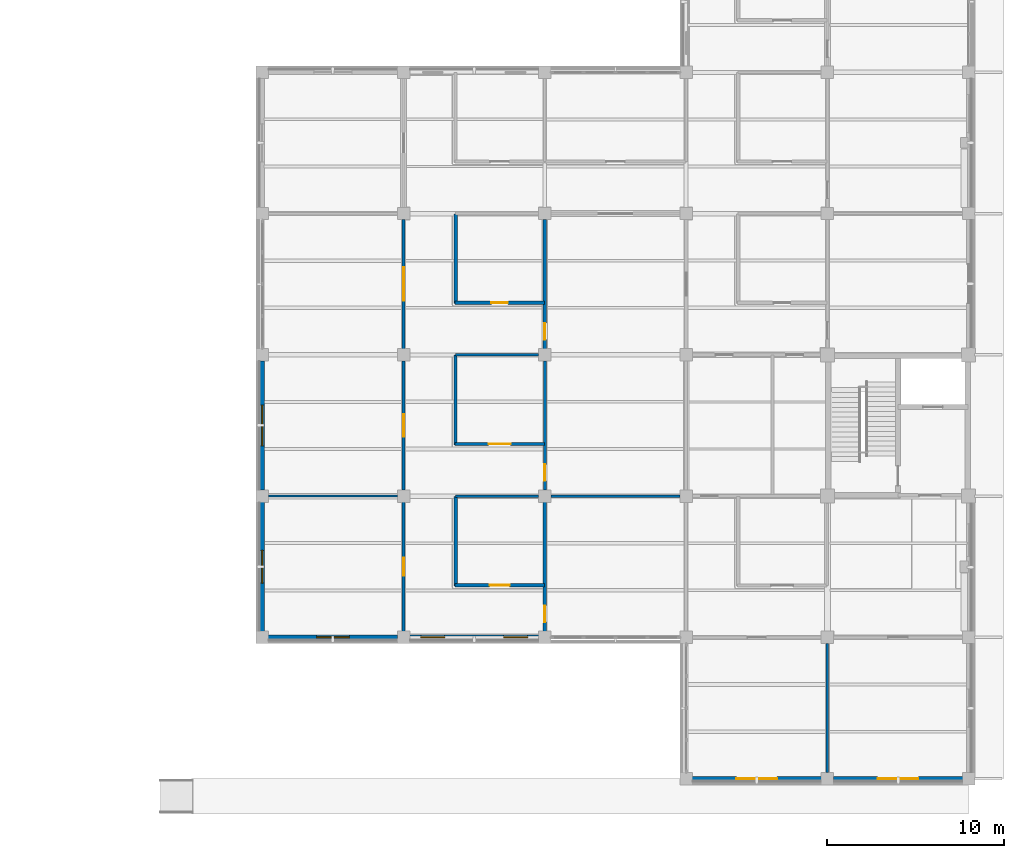
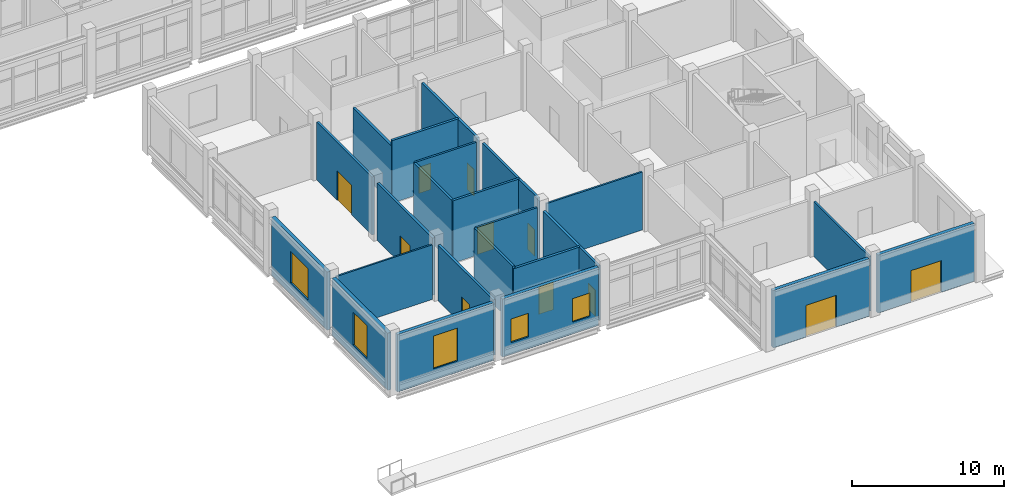
# One storey, part 75 of 105: 23 walls, 11 doors, 5 windows, 16 openings.
"""IFC4 building model written with IfcOpenShell, lengths in metres."""

from ifc_helpers import new_model, si_unit, derived_unit, direction, frame, frame_2d, origin, place, context, subcontext, project, spatial, rectangle, extrude, material, layer, layer_set, type_object, element, fill, save


model = new_model("IFC4")

# Units and contexts
model_context = context("Model", 3, precision=1e-05, world=origin(), true_north=direction((0.0, 1.0)))
body_context = subcontext(model_context, "Body", "Model", "MODEL_VIEW")
ifc_project = project(units=[si_unit("LENGTHUNIT", "METRE"), si_unit("AREAUNIT", "SQUARE_METRE"), si_unit("VOLUMEUNIT", "CUBIC_METRE"), si_unit("PLANEANGLEUNIT", "RADIAN"), si_unit("MASSUNIT", "GRAM", prefix="KILO"), derived_unit("THERMALTRANSMITTANCEUNIT", [(si_unit("MASSUNIT", "GRAM", prefix="KILO"), 1), (si_unit("TIMEUNIT", "SECOND"), -3), (si_unit("THERMODYNAMICTEMPERATUREUNIT", "KELVIN"), -1)])], contexts=[model_context])

# Site, building, storey
site_placement = place(None, origin())
site = spatial("IfcSite", under=ifc_project, at=site_placement, CompositionType="ELEMENT")
building_placement = place(site_placement, origin())
building = spatial("IfcBuilding", under=site, at=building_placement, Name="Veyamyaing Civic Hall", CompositionType="ELEMENT")
storey_placement = place(building_placement, origin())
storey = spatial("IfcBuildingStorey", under=building, at=storey_placement, Name="L00", CompositionType="ELEMENT", Elevation=0.0)

# Wall, opening, door
ifc_material_1 = material(Name="Gypsum board on acoustic steel stud", Category="steel")
ifc_layer_1 = layer(ifc_material_1, 0.175048828125, Name="Gypsum board on acoustic steel stud")
ifc_layer_set_1 = layer_set([ifc_layer_1], Name="Gypsum board on acoustic steel stud")
wall_type_1 = type_object("IfcWallType", Name="WT-07", PredefinedType="PARTITIONING", material=ifc_layer_set_1)
wall_1_placement = place(storey_placement, frame((146.89990234375, 18.949951171875, 0.0), z_axis=(0.0, 0.0, 1.0), x_axis=(1.0, 0.0, 0.0)))
wall_1 = element("IfcWall", 1, at=wall_1_placement, inside=storey, type_object=wall_type_1, Name="Corridor gallery partition WT-07 L00.57.1", PredefinedType="PARTITIONING", context=body_context, shape_type="SweptSolid", body=[
    extrude(rectangle(XDim=5.080078125, YDim=0.175048828125, at=frame_2d((2.5400390625, 0.0))), origin(), (0.0, 0.0, 1.0), 5.02490234375),
])
opening_1_placement = place(wall_1_placement, frame((1.9150390625, 0.0, 0.0)))
opening_1 = element("IfcOpeningElement", 2, at=opening_1_placement, cuts=wall_1, Name="Opening D-29", PredefinedType="OPENING", context=body_context, shape_type="SweptSolid", body=[
    extrude(rectangle(XDim=1.25, YDim=2.179931640625, at=frame_2d((0.625, 1.08984375))), frame((0.0, 0.097412109375, 0.0), z_axis=(0.0, -1.0, 0.0), x_axis=(1.0, 0.0, 0.0)), (0.0, 0.0, 1.0), 0.195068359375),
])
ifc_material_2 = material(Name="Teak-veneered acoustic timber", Category="wood")
door_type_1 = type_object("IfcDoorType", Name="D-29", OperationType="NOTDEFINED", PredefinedType="DOOR", material=ifc_material_2)
door_1_placement = place(opening_1_placement, origin())
door_1 = element("IfcDoor", 3, at=door_1_placement, inside=storey, type_object=door_type_1, Name="Gallery office door D-29 L00.57", OperationType="SINGLE_SWING_RIGHT", OverallHeight=2.179931640625, OverallWidth=1.25, PredefinedType="DOOR", context=body_context, shape_type="SweptSolid", body=[
    extrude(rectangle(XDim=1.25, YDim=2.179931640625, at=frame_2d((0.625, 1.08984375))), frame((0.0, 0.02490234375, 0.0), z_axis=(0.0, -1.0, 0.0), x_axis=(1.0, 0.0, 0.0)), (0.0, 0.0, 1.0), 0.050048828125),
])
fill(opening_1, door_1)

# Wall
wall_2_placement = place(storey_placement, frame((146.949951171875, 18.89990234375, 0.0), z_axis=(0.0, 0.0, 1.0), x_axis=(0.0, 1.0, 0.0)))
element("IfcWall", 4, at=wall_2_placement, inside=storey, type_object=wall_type_1, Name="Corridor gallery partition WT-07 L00.57.2", PredefinedType="PARTITIONING", context=body_context, shape_type="SweptSolid", body=[
    extrude(rectangle(XDim=5.080078125, YDim=0.175048828125, at=frame_2d((2.5400390625, 0.0))), origin(), (0.0, 0.0, 1.0), 5.02490234375),
])

# Wall, opening, door
wall_3_placement = place(storey_placement, frame((144.0, 24.340087890625, 0.0), z_axis=(0.0, 0.0, 1.0), x_axis=(0.0, 1.0, 0.0)))
wall_3 = element("IfcWall", 5, at=wall_3_placement, inside=storey, type_object=wall_type_1, Name="Interior partition wall WT-07 L00.127", PredefinedType="PARTITIONING", context=body_context, shape_type="SweptSolid", body=[
    extrude(rectangle(XDim=7.31982421875, YDim=0.175048828125, at=frame_2d((3.659912109375, 0.0))), origin(), (0.0, 0.0, 1.0), 4.6669921875),
])
opening_2_placement = place(wall_3_placement, frame((2.7099609375, 0.0, 0.0)))
opening_2 = element("IfcOpeningElement", 6, at=opening_2_placement, cuts=wall_3, Name="Opening D-31", PredefinedType="OPENING", context=body_context, shape_type="SweptSolid", body=[
    extrude(rectangle(XDim=1.89990234375, YDim=2.3798828125, at=frame_2d((0.949951171875, 1.18994140625))), frame((0.0, 0.097412109375, 0.0), z_axis=(0.0, -1.0, 0.0), x_axis=(1.0, 0.0, 0.0)), (0.0, 0.0, 1.0), 0.195068359375),
])
door_type_2 = type_object("IfcDoorType", Name="D-31", OperationType="DOUBLE_DOOR_SINGLE_SWING", PredefinedType="DOOR", material=ifc_material_2)
door_2_placement = place(opening_2_placement, origin())
door_2 = element("IfcDoor", 7, at=door_2_placement, inside=storey, type_object=door_type_2, Name="Interior door D-31 L00.127", OperationType="DOUBLE_DOOR_SINGLE_SWING", OverallHeight=2.3798828125, OverallWidth=1.89990234375, PredefinedType="DOOR", context=body_context, shape_type="SweptSolid", body=[
    extrude(rectangle(XDim=1.89990234375, YDim=2.3798828125, at=frame_2d((0.949951171875, 1.18994140625))), frame((0.0, 0.02490234375, 0.0), z_axis=(0.0, -1.0, 0.0), x_axis=(1.0, 0.0, 0.0)), (0.0, 0.0, 1.0), 0.050048828125),
])
fill(opening_2, door_2)

wall_4_placement = place(storey_placement, frame((152.0, 16.340087890625, 0.0), z_axis=(0.0, 0.0, 1.0), x_axis=(0.0, 1.0, 0.0)))
wall_4 = element("IfcWall", 8, at=wall_4_placement, inside=storey, type_object=wall_type_1, Name="Interior partition wall WT-07 L00.131", PredefinedType="PARTITIONING", context=body_context, shape_type="SweptSolid", body=[
    extrude(rectangle(XDim=7.31982421875, YDim=0.175048828125, at=frame_2d((3.659912109375, 0.0))), origin(), (0.0, 0.0, 1.0), 5.02490234375),
])
opening_3_placement = place(wall_4_placement, frame((0.52001953125, 0.0, 0.0)))
opening_3 = element("IfcOpeningElement", 9, at=opening_3_placement, cuts=wall_4, Name="Opening D-30", PredefinedType="OPENING", context=body_context, shape_type="SweptSolid", body=[
    extrude(rectangle(XDim=0.93994140625, YDim=2.1201171875, at=frame_2d((0.469970703125, 1.06005859375))), frame((0.0, 0.097412109375, 0.0), z_axis=(0.0, -1.0, 0.0), x_axis=(1.0, 0.0, 0.0)), (0.0, 0.0, 1.0), 0.195068359375),
])
door_type_3 = type_object("IfcDoorType", Name="D-30", OperationType="NOTDEFINED", PredefinedType="DOOR", material=ifc_material_2)
door_3_placement = place(opening_3_placement, frame((0.93994140625, 0.0, 0.0), z_axis=(0.0, 0.0, 1.0), x_axis=(-1.0, 0.0, 0.0)))
door_3 = element("IfcDoor", 10, at=door_3_placement, inside=storey, type_object=door_type_3, Name="Interior door D-30 L00.131", OperationType="SINGLE_SWING_LEFT", OverallHeight=2.1201171875, OverallWidth=0.93994140625, PredefinedType="DOOR", context=body_context, shape_type="SweptSolid", body=[
    extrude(rectangle(XDim=0.93994140625, YDim=2.1201171875, at=frame_2d((0.469970703125, 1.06005859375))), frame((0.0, 0.02490234375, 0.0), z_axis=(0.0, -1.0, 0.0), x_axis=(1.0, 0.0, 0.0)), (0.0, 0.0, 1.0), 0.050048828125),
])
fill(opening_3, door_3)

# Walls
ifc_material_3 = material(Name="Gypsum board on steel stud", Category="steel")
ifc_layer_2 = layer(ifc_material_3, 0.14990234375, Name="Gypsum board on steel stud")
ifc_layer_set_2 = layer_set([ifc_layer_2], Name="Gypsum board on steel stud")
wall_type_2 = type_object("IfcWallType", Name="WT-08", PredefinedType="PARTITIONING", material=ifc_layer_set_2)
wall_5_placement = place(storey_placement, frame((146.949951171875, 16.0, 0.0), z_axis=(0.0, 0.0, 1.0), x_axis=(1.0, 0.0, 0.0)))
element("IfcWall", 11, at=wall_5_placement, inside=storey, type_object=wall_type_2, Name="Gallery office end partition WT-08 L00.56.1", PredefinedType="PARTITIONING", context=body_context, shape_type="SweptSolid", body=[
    extrude(rectangle(XDim=4.68994140625, YDim=0.14990234375, at=frame_2d((2.344970703125, 0.0))), origin(), (0.0, 0.0, 1.0), 4.60302734375),
])
wall_6_placement = place(storey_placement, frame((146.949951171875, 24.0, 0.0), z_axis=(0.0, 0.0, 1.0), x_axis=(1.0, 0.0, 0.0)))
element("IfcWall", 12, at=wall_6_placement, inside=storey, type_object=wall_type_2, Name="Gallery office end partition WT-08 L00.57.1", PredefinedType="PARTITIONING", context=body_context, shape_type="SweptSolid", body=[
    extrude(rectangle(XDim=4.68994140625, YDim=0.14990234375, at=frame_2d((2.344970703125, 0.0))), origin(), (0.0, 0.0, 1.0), 5.02490234375),
])
wall_7_placement = place(storey_placement, frame((168.0, 0.340087890625, 0.0), z_axis=(0.0, 0.0, 1.0), x_axis=(0.0, 1.0, 0.0)))
element("IfcWall", 13, at=wall_7_placement, inside=storey, type_object=wall_type_2, Name="Interior partition wall WT-08 L00.143", PredefinedType="PARTITIONING", context=body_context, shape_type="SweptSolid", body=[
    extrude(rectangle(XDim=7.31982421875, YDim=0.14990234375, at=frame_2d((3.659912109375, 0.0))), origin(), (0.0, 0.0, 1.0), 4.412109375),
])
ifc_layer_3 = layer(ifc_material_3, 0.135009765625, Name="Gypsum board on steel stud")
ifc_layer_set_3 = layer_set([ifc_layer_3], Name="Gypsum board on steel stud")
wall_type_3 = type_object("IfcWallType", Name="WT-15", PredefinedType="PARTITIONING", material=ifc_layer_set_3)
wall_8_placement = place(storey_placement, frame((152.340087890625, 16.0, 0.0), z_axis=(0.0, 0.0, 1.0), x_axis=(1.0, 0.0, 0.0)))
element("IfcWall", 14, at=wall_8_placement, inside=storey, type_object=wall_type_3, Name="Interior partition wall WT-15 L00.136", PredefinedType="PARTITIONING", context=body_context, shape_type="SweptSolid", body=[
    extrude(rectangle(XDim=7.31982421875, YDim=0.135009765625, at=frame_2d((3.659912109375, 0.0))), origin(), (0.0, 0.0, 1.0), 4.6669921875),
])
ifc_layer_4 = layer(ifc_material_3, 0.1201171875, Name="Gypsum board on steel stud")
ifc_layer_set_4 = layer_set([ifc_layer_4], Name="Gypsum board on steel stud")
wall_type_4 = type_object("IfcWallType", Name="WT-16", PredefinedType="PARTITIONING", material=ifc_layer_set_4)
wall_9_placement = place(storey_placement, frame((136.340087890625, 16.0, 0.0), z_axis=(0.0, 0.0, 1.0), x_axis=(1.0, 0.0, 0.0)))
element("IfcWall", 15, at=wall_9_placement, inside=storey, type_object=wall_type_4, Name="Interior partition wall WT-16 L00.125", PredefinedType="PARTITIONING", context=body_context, shape_type="SweptSolid", body=[
    extrude(rectangle(XDim=7.31982421875, YDim=0.1201171875, at=frame_2d((3.659912109375, 0.0))), origin(), (0.0, 0.0, 1.0), 4.404052734375),
])

# Wall, opening, window
ifc_material_4 = material(Name="Precast concrete C40/50", Category="concrete")
ifc_layer_5 = layer(ifc_material_4, 0.27001953125, Name="Precast concrete C40/50")
ifc_layer_set_5 = layer_set([ifc_layer_5], Name="Precast concrete C40/50")
wall_type_5 = type_object("IfcWallType", Name="WT-18", PredefinedType="SOLIDWALL", material=ifc_layer_set_5)
wall_10_placement = place(storey_placement, frame((136.3349609375, 8.0, 0.0), z_axis=(0.0, 0.0, 1.0), x_axis=(1.0, 0.0, 0.0)))
wall_10 = element("IfcWall", 16, at=wall_10_placement, inside=storey, type_object=wall_type_5, Name="Exterior facade wall WT-18 L00 S 18.2", PredefinedType="SOLIDWALL", context=body_context, shape_type="SweptSolid", body=[
    extrude(rectangle(XDim=7.330078125, YDim=0.27001953125, at=frame_2d((3.6650390625, 0.0))), origin(), (0.0, 0.0, 1.0), 4.614013671875),
])
opening_4_placement = place(wall_10_placement, frame((2.739990234375, 0.0, 0.89990234375)))
opening_4 = element("IfcOpeningElement", 17, at=opening_4_placement, cuts=wall_10, Name="Opening W-03", PredefinedType="OPENING", context=body_context, shape_type="SweptSolid", body=[
    extrude(rectangle(XDim=1.85009765625, YDim=2.64990234375, at=frame_2d((0.925048828125, 1.324951171875))), frame((0.0, 0.14501953125, 0.0), z_axis=(0.0, -1.0, 0.0), x_axis=(1.0, 0.0, 0.0)), (0.0, 0.0, 1.0), 0.2900390625),
])
ifc_material_5 = material(Name="Low-E insulated glass", Category="glass")
window_type_1 = type_object("IfcWindowType", Name="W-03", PartitioningType="SINGLE_PANEL", PredefinedType="WINDOW", material=ifc_material_5)
window_1_placement = place(opening_4_placement, origin())
window_1 = element("IfcWindow", 18, at=window_1_placement, inside=storey, type_object=window_type_1, Name="Facade window W-03 L00 S 18.2", OverallHeight=2.64990234375, OverallWidth=1.85009765625, PartitioningType="SINGLE_PANEL", PredefinedType="WINDOW", context=body_context, shape_type="SweptSolid", body=[
    extrude(rectangle(XDim=1.85009765625, YDim=2.64990234375, at=frame_2d((0.925048828125, 1.324951171875))), frame((0.0, 0.030029296875, 0.0), z_axis=(0.0, -1.0, 0.0), x_axis=(1.0, 0.0, 0.0)), (0.0, 0.0, 1.0), 0.06005859375),
])
fill(opening_4, window_1)

wall_11_placement = place(storey_placement, frame((136.0, 8.3349609375, 0.0), z_axis=(0.0, 0.0, 1.0), x_axis=(0.0, 1.0, 0.0)))
wall_11 = element("IfcWall", 19, at=wall_11_placement, inside=storey, type_object=wall_type_5, Name="Exterior facade wall WT-18 L00 W 18.2", PredefinedType="SOLIDWALL", context=body_context, shape_type="SweptSolid", body=[
    extrude(rectangle(XDim=7.330078125, YDim=0.27001953125, at=frame_2d((3.6650390625, 0.0))), origin(), (0.0, 0.0, 1.0), 4.614013671875),
])
opening_5_placement = place(wall_11_placement, frame((2.739990234375, 0.0, 0.89990234375)))
opening_5 = element("IfcOpeningElement", 20, at=opening_5_placement, cuts=wall_11, Name="Opening W-03", PredefinedType="OPENING", context=body_context, shape_type="SweptSolid", body=[
    extrude(rectangle(XDim=1.85009765625, YDim=2.64990234375, at=frame_2d((0.925048828125, 1.324951171875))), frame((0.0, 0.14501953125, 0.0), z_axis=(0.0, -1.0, 0.0), x_axis=(1.0, 0.0, 0.0)), (0.0, 0.0, 1.0), 0.2900390625),
])
window_2_placement = place(opening_5_placement, origin())
window_2 = element("IfcWindow", 21, at=window_2_placement, inside=storey, type_object=window_type_1, Name="Facade window W-03 L00 W 18.2", OverallHeight=2.64990234375, OverallWidth=1.85009765625, PartitioningType="SINGLE_PANEL", PredefinedType="WINDOW", context=body_context, shape_type="SweptSolid", body=[
    extrude(rectangle(XDim=1.85009765625, YDim=2.64990234375, at=frame_2d((0.925048828125, 1.324951171875))), frame((0.0, 0.030029296875, 0.0), z_axis=(0.0, -1.0, 0.0), x_axis=(1.0, 0.0, 0.0)), (0.0, 0.0, 1.0), 0.06005859375),
])
fill(opening_5, window_2)

wall_12_placement = place(storey_placement, frame((136.0, 16.3349609375, 0.0), z_axis=(0.0, 0.0, 1.0), x_axis=(0.0, 1.0, 0.0)))
wall_12 = element("IfcWall", 22, at=wall_12_placement, inside=storey, type_object=wall_type_5, Name="Exterior facade wall WT-18 L00 W 18.3", PredefinedType="SOLIDWALL", context=body_context, shape_type="SweptSolid", body=[
    extrude(rectangle(XDim=7.330078125, YDim=0.27001953125, at=frame_2d((3.6650390625, 0.0))), origin(), (0.0, 0.0, 1.0), 4.677001953125),
])
opening_6_placement = place(wall_12_placement, frame((2.514892578125, 0.0, 0.89990234375)))
opening_6 = element("IfcOpeningElement", 23, at=opening_6_placement, cuts=wall_12, Name="Opening W-25", PredefinedType="OPENING", context=body_context, shape_type="SweptSolid", body=[
    extrude(rectangle(XDim=2.300048828125, YDim=2.550048828125, at=frame_2d((1.14990234375, 1.27490234375))), frame((0.0, 0.14501953125, 0.0), z_axis=(0.0, -1.0, 0.0), x_axis=(1.0, 0.0, 0.0)), (0.0, 0.0, 1.0), 0.2900390625),
])
window_type_2 = type_object("IfcWindowType", Name="W-25", PartitioningType="SINGLE_PANEL", PredefinedType="WINDOW", material=ifc_material_5)
window_3_placement = place(opening_6_placement, origin())
window_3 = element("IfcWindow", 24, at=window_3_placement, inside=storey, type_object=window_type_2, Name="Facade window W-25 L00 W 18.3", OverallHeight=2.550048828125, OverallWidth=2.300048828125, PartitioningType="SINGLE_PANEL", PredefinedType="WINDOW", context=body_context, shape_type="SweptSolid", body=[
    extrude(rectangle(XDim=2.300048828125, YDim=2.550048828125, at=frame_2d((1.14990234375, 1.27490234375))), frame((0.0, 0.030029296875, 0.0), z_axis=(0.0, -1.0, 0.0), x_axis=(1.0, 0.0, 0.0)), (0.0, 0.0, 1.0), 0.06005859375),
])
fill(opening_6, window_3)

# Wall, openings, windows
wall_13_placement = place(storey_placement, frame((144.3349609375, 8.0, 0.0), z_axis=(0.0, 0.0, 1.0), x_axis=(1.0, 0.0, 0.0)))
wall_13 = element("IfcWall", 25, at=wall_13_placement, inside=storey, type_object=wall_type_5, Name="Exterior facade wall WT-18 L00 S 19.2", PredefinedType="SOLIDWALL", context=body_context, shape_type="SweptSolid", body=[
    extrude(rectangle(XDim=7.330078125, YDim=0.27001953125, at=frame_2d((3.6650390625, 0.0))), origin(), (0.0, 0.0, 1.0), 4.677001953125),
])
opening_7_placement = place(wall_13_placement, frame((0.644287109375, 0.0, 0.949951171875)))
opening_7 = element("IfcOpeningElement", 26, at=opening_7_placement, cuts=wall_13, Name="Opening W-13", PredefinedType="OPENING", context=body_context, shape_type="SweptSolid", body=[
    extrude(rectangle(XDim=1.35009765625, YDim=1.89990234375, at=frame_2d((0.675048828125, 0.949951171875))), frame((0.0, 0.14501953125, 0.0), z_axis=(0.0, -1.0, 0.0), x_axis=(1.0, 0.0, 0.0)), (0.0, 0.0, 1.0), 0.2900390625),
])
opening_8_placement = place(wall_13_placement, frame((5.335693359375, 0.0, 0.949951171875)))
opening_8 = element("IfcOpeningElement", 27, at=opening_8_placement, cuts=wall_13, Name="Opening W-13", PredefinedType="OPENING", context=body_context, shape_type="SweptSolid", body=[
    extrude(rectangle(XDim=1.35009765625, YDim=1.89990234375, at=frame_2d((0.675048828125, 0.949951171875))), frame((0.0, 0.14501953125, 0.0), z_axis=(0.0, -1.0, 0.0), x_axis=(1.0, 0.0, 0.0)), (0.0, 0.0, 1.0), 0.2900390625),
])
window_type_3 = type_object("IfcWindowType", Name="W-13", PartitioningType="SINGLE_PANEL", PredefinedType="WINDOW", material=ifc_material_5)
window_4_placement = place(opening_7_placement, origin())
window_4 = element("IfcWindow", 28, at=window_4_placement, inside=storey, type_object=window_type_3, Name="Facade window W-13 L00 S 19.2.1", OverallHeight=1.89990234375, OverallWidth=1.35009765625, PartitioningType="SINGLE_PANEL", PredefinedType="WINDOW", context=body_context, shape_type="SweptSolid", body=[
    extrude(rectangle(XDim=1.35009765625, YDim=1.89990234375, at=frame_2d((0.675048828125, 0.949951171875))), frame((0.0, 0.030029296875, 0.0), z_axis=(0.0, -1.0, 0.0), x_axis=(1.0, 0.0, 0.0)), (0.0, 0.0, 1.0), 0.06005859375),
])
fill(opening_7, window_4)
window_5_placement = place(opening_8_placement, origin())
window_5 = element("IfcWindow", 29, at=window_5_placement, inside=storey, type_object=window_type_3, Name="Facade window W-13 L00 S 19.2.2", OverallHeight=1.89990234375, OverallWidth=1.35009765625, PartitioningType="SINGLE_PANEL", PredefinedType="WINDOW", context=body_context, shape_type="SweptSolid", body=[
    extrude(rectangle(XDim=1.35009765625, YDim=1.89990234375, at=frame_2d((0.675048828125, 0.949951171875))), frame((0.0, 0.030029296875, 0.0), z_axis=(0.0, -1.0, 0.0), x_axis=(1.0, 0.0, 0.0)), (0.0, 0.0, 1.0), 0.06005859375),
])
fill(opening_8, window_5)

# Wall, opening, door
wall_14_placement = place(storey_placement, frame((160.3349609375, 0.0, 0.0), z_axis=(0.0, 0.0, 1.0), x_axis=(1.0, 0.0, 0.0)))
wall_14 = element("IfcWall", 30, at=wall_14_placement, inside=storey, type_object=wall_type_5, Name="Exterior facade wall WT-18 L00 S 21.1", PredefinedType="SOLIDWALL", context=body_context, shape_type="SweptSolid", body=[
    extrude(rectangle(XDim=7.330078125, YDim=0.27001953125, at=frame_2d((3.6650390625, 0.0))), origin(), (0.0, 0.0, 1.0), 4.610107421875),
])
opening_9_placement = place(wall_14_placement, frame((2.514892578125, 0.0, 0.0)))
opening_9 = element("IfcOpeningElement", 31, at=opening_9_placement, cuts=wall_14, Name="Opening D-21", PredefinedType="OPENING", context=body_context, shape_type="SweptSolid", body=[
    extrude(rectangle(XDim=2.300048828125, YDim=2.550048828125, at=frame_2d((1.14990234375, 1.27490234375))), frame((0.0, 0.14501953125, 0.0), z_axis=(0.0, -1.0, 0.0), x_axis=(1.0, 0.0, 0.0)), (0.0, 0.0, 1.0), 0.2900390625),
])
ifc_material_6 = material(Name="Anodised aluminium 6063-T6", Category="aluminium")
door_type_4 = type_object("IfcDoorType", Name="D-21", OperationType="DOUBLE_DOOR_SINGLE_SWING", PredefinedType="DOOR", material=ifc_material_6)
door_4_placement = place(opening_9_placement, frame((2.300048828125, 0.0, 0.0), z_axis=(0.0, 0.0, 1.0), x_axis=(-1.0, 0.0, 0.0)))
door_4 = element("IfcDoor", 32, at=door_4_placement, inside=storey, type_object=door_type_4, Name="Main pedestrian final exit EX-13", OperationType="DOUBLE_DOOR_SINGLE_SWING", OverallHeight=2.550048828125, OverallWidth=2.300048828125, PredefinedType="DOOR", context=body_context, shape_type="SweptSolid", body=[
    extrude(rectangle(XDim=2.300048828125, YDim=2.550048828125, at=frame_2d((1.14990234375, 1.27490234375))), frame((0.0, 0.02490234375, 0.0), z_axis=(0.0, -1.0, 0.0), x_axis=(1.0, 0.0, 0.0)), (0.0, 0.0, 1.0), 0.050048828125),
])
fill(opening_9, door_4)

wall_15_placement = place(storey_placement, frame((168.3349609375, 0.0, 0.0), z_axis=(0.0, 0.0, 1.0), x_axis=(1.0, 0.0, 0.0)))
wall_15 = element("IfcWall", 33, at=wall_15_placement, inside=storey, type_object=wall_type_5, Name="Exterior facade wall WT-18 L00 S 22.1", PredefinedType="SOLIDWALL", context=body_context, shape_type="SweptSolid", body=[
    extrude(rectangle(XDim=7.330078125, YDim=0.27001953125, at=frame_2d((3.6650390625, 0.0))), origin(), (0.0, 0.0, 1.0), 4.674072265625),
])
opening_10_placement = place(wall_15_placement, frame((2.514892578125, 0.0, 0.0)))
opening_10 = element("IfcOpeningElement", 34, at=opening_10_placement, cuts=wall_15, Name="Opening D-21", PredefinedType="OPENING", context=body_context, shape_type="SweptSolid", body=[
    extrude(rectangle(XDim=2.300048828125, YDim=2.550048828125, at=frame_2d((1.14990234375, 1.27490234375))), frame((0.0, 0.14501953125, 0.0), z_axis=(0.0, -1.0, 0.0), x_axis=(1.0, 0.0, 0.0)), (0.0, 0.0, 1.0), 0.2900390625),
])
door_5_placement = place(opening_10_placement, frame((2.300048828125, 0.0, 0.0), z_axis=(0.0, 0.0, 1.0), x_axis=(-1.0, 0.0, 0.0)))
door_5 = element("IfcDoor", 35, at=door_5_placement, inside=storey, type_object=door_type_4, Name="Main pedestrian final exit EX-15", OperationType="DOUBLE_DOOR_SINGLE_SWING", OverallHeight=2.550048828125, OverallWidth=2.300048828125, PredefinedType="DOOR", context=body_context, shape_type="SweptSolid", body=[
    extrude(rectangle(XDim=2.300048828125, YDim=2.550048828125, at=frame_2d((1.14990234375, 1.27490234375))), frame((0.0, 0.02490234375, 0.0), z_axis=(0.0, -1.0, 0.0), x_axis=(1.0, 0.0, 0.0)), (0.0, 0.0, 1.0), 0.050048828125),
])
fill(opening_10, door_5)

ifc_material_7 = material(Name="Gypsum board on double acoustic stud")
ifc_layer_6 = layer(ifc_material_7, 0.18505859375, Name="Gypsum board on double acoustic stud")
ifc_layer_set_6 = layer_set([ifc_layer_6], Name="Gypsum board on double acoustic stud")
wall_type_6 = type_object("IfcWallType", Name="WT-19", PredefinedType="PARTITIONING", material=ifc_layer_set_6)
wall_16_placement = place(storey_placement, frame((146.89990234375, 10.949951171875, 0.0), z_axis=(0.0, 0.0, 1.0), x_axis=(1.0, 0.0, 0.0)))
wall_16 = element("IfcWall", 36, at=wall_16_placement, inside=storey, type_object=wall_type_6, Name="Corridor gallery partition WT-19 L00.56.1", PredefinedType="PARTITIONING", context=body_context, shape_type="SweptSolid", body=[
    extrude(rectangle(XDim=5.080078125, YDim=0.18505859375, at=frame_2d((2.5400390625, 0.0))), origin(), (0.0, 0.0, 1.0), 4.403076171875),
])
opening_11_placement = place(wall_16_placement, frame((1.97998046875, 0.0, 0.0)))
opening_11 = element("IfcOpeningElement", 37, at=opening_11_placement, cuts=wall_16, Name="Opening D-26", PredefinedType="OPENING", context=body_context, shape_type="SweptSolid", body=[
    extrude(rectangle(XDim=1.1201171875, YDim=2.219970703125, at=frame_2d((0.56005859375, 1.10986328125))), frame((0.0, 0.1025390625, 0.0), z_axis=(0.0, -1.0, 0.0), x_axis=(1.0, 0.0, 0.0)), (0.0, 0.0, 1.0), 0.205078125),
])
door_type_5 = type_object("IfcDoorType", Name="D-26", OperationType="NOTDEFINED", PredefinedType="DOOR", material=ifc_material_2)
door_6_placement = place(opening_11_placement, origin())
door_6 = element("IfcDoor", 38, at=door_6_placement, inside=storey, type_object=door_type_5, Name="Gallery office door D-26 L00.56", OperationType="SINGLE_SWING_LEFT", OverallHeight=2.219970703125, OverallWidth=1.1201171875, PredefinedType="DOOR", context=body_context, shape_type="SweptSolid", body=[
    extrude(rectangle(XDim=1.1201171875, YDim=2.219970703125, at=frame_2d((0.56005859375, 1.10986328125))), frame((0.0, 0.02490234375, 0.0), z_axis=(0.0, -1.0, 0.0), x_axis=(1.0, 0.0, 0.0)), (0.0, 0.0, 1.0), 0.050048828125),
])
fill(opening_11, door_6)

# Wall
wall_17_placement = place(storey_placement, frame((146.949951171875, 10.89990234375, 0.0), z_axis=(0.0, 0.0, 1.0), x_axis=(0.0, 1.0, 0.0)))
element("IfcWall", 39, at=wall_17_placement, inside=storey, type_object=wall_type_6, Name="Corridor gallery partition WT-19 L00.56.2", PredefinedType="PARTITIONING", context=body_context, shape_type="SweptSolid", body=[
    extrude(rectangle(XDim=5.080078125, YDim=0.18505859375, at=frame_2d((2.5400390625, 0.0))), origin(), (0.0, 0.0, 1.0), 4.60302734375),
])

# Wall, opening, door
wall_18_placement = place(storey_placement, frame((146.89990234375, 26.949951171875, 0.0), z_axis=(0.0, 0.0, 1.0), x_axis=(1.0, 0.0, 0.0)))
wall_18 = element("IfcWall", 40, at=wall_18_placement, inside=storey, type_object=wall_type_6, Name="Corridor gallery partition WT-19 L00.58.1", PredefinedType="PARTITIONING", context=body_context, shape_type="SweptSolid", body=[
    extrude(rectangle(XDim=5.080078125, YDim=0.18505859375, at=frame_2d((2.5400390625, 0.0))), origin(), (0.0, 0.0, 1.0), 5.02490234375),
])
opening_12_placement = place(wall_18_placement, frame((2.070068359375, 0.0, 0.0)))
opening_12 = element("IfcOpeningElement", 41, at=opening_12_placement, cuts=wall_18, Name="Opening D-30", PredefinedType="OPENING", context=body_context, shape_type="SweptSolid", body=[
    extrude(rectangle(XDim=0.93994140625, YDim=2.1201171875, at=frame_2d((0.469970703125, 1.06005859375))), frame((0.0, 0.1025390625, 0.0), z_axis=(0.0, -1.0, 0.0), x_axis=(1.0, 0.0, 0.0)), (0.0, 0.0, 1.0), 0.205078125),
])
door_7_placement = place(opening_12_placement, origin())
door_7 = element("IfcDoor", 42, at=door_7_placement, inside=storey, type_object=door_type_3, Name="Gallery office door D-30 L00.58", OperationType="SINGLE_SWING_LEFT", OverallHeight=2.1201171875, OverallWidth=0.93994140625, PredefinedType="DOOR", context=body_context, shape_type="SweptSolid", body=[
    extrude(rectangle(XDim=0.93994140625, YDim=2.1201171875, at=frame_2d((0.469970703125, 1.06005859375))), frame((0.0, 0.02490234375, 0.0), z_axis=(0.0, -1.0, 0.0), x_axis=(1.0, 0.0, 0.0)), (0.0, 0.0, 1.0), 0.050048828125),
])
fill(opening_12, door_7)

# Wall
wall_19_placement = place(storey_placement, frame((146.949951171875, 26.89990234375, 0.0), z_axis=(0.0, 0.0, 1.0), x_axis=(0.0, 1.0, 0.0)))
element("IfcWall", 43, at=wall_19_placement, inside=storey, type_object=wall_type_6, Name="Corridor gallery partition WT-19 L00.58.2", PredefinedType="PARTITIONING", context=body_context, shape_type="SweptSolid", body=[
    extrude(rectangle(XDim=5.080078125, YDim=0.18505859375, at=frame_2d((2.5400390625, 0.0))), origin(), (0.0, 0.0, 1.0), 4.60693359375),
])

# Wall, opening, door
wall_20_placement = place(storey_placement, frame((144.0, 8.340087890625, 0.0), z_axis=(0.0, 0.0, 1.0), x_axis=(0.0, 1.0, 0.0)))
wall_20 = element("IfcWall", 44, at=wall_20_placement, inside=storey, type_object=wall_type_6, Name="Interior partition wall WT-19 L00.124", PredefinedType="PARTITIONING", context=body_context, shape_type="SweptSolid", body=[
    extrude(rectangle(XDim=7.31982421875, YDim=0.18505859375, at=frame_2d((3.659912109375, 0.0))), origin(), (0.0, 0.0, 1.0), 4.470947265625),
])
opening_13_placement = place(wall_20_placement, frame((3.139892578125, 0.0, 0.0)))
opening_13 = element("IfcOpeningElement", 45, at=opening_13_placement, cuts=wall_20, Name="Opening D-24", PredefinedType="OPENING", context=body_context, shape_type="SweptSolid", body=[
    extrude(rectangle(XDim=1.0400390625, YDim=2.179931640625, at=frame_2d((0.52001953125, 1.08984375))), frame((0.0, 0.1025390625, 0.0), z_axis=(0.0, -1.0, 0.0), x_axis=(1.0, 0.0, 0.0)), (0.0, 0.0, 1.0), 0.205078125),
])
door_type_6 = type_object("IfcDoorType", Name="D-24", OperationType="NOTDEFINED", PredefinedType="DOOR", material=ifc_material_2)
door_8_placement = place(opening_13_placement, origin())
door_8 = element("IfcDoor", 46, at=door_8_placement, inside=storey, type_object=door_type_6, Name="Interior door D-24 L00.124", OperationType="SINGLE_SWING_RIGHT", OverallHeight=2.179931640625, OverallWidth=1.0400390625, PredefinedType="DOOR", context=body_context, shape_type="SweptSolid", body=[
    extrude(rectangle(XDim=1.0400390625, YDim=2.179931640625, at=frame_2d((0.52001953125, 1.08984375))), frame((0.0, 0.02490234375, 0.0), z_axis=(0.0, -1.0, 0.0), x_axis=(1.0, 0.0, 0.0)), (0.0, 0.0, 1.0), 0.050048828125),
])
fill(opening_13, door_8)

wall_21_placement = place(storey_placement, frame((144.0, 16.340087890625, 0.0), z_axis=(0.0, 0.0, 1.0), x_axis=(0.0, 1.0, 0.0)))
wall_21 = element("IfcWall", 47, at=wall_21_placement, inside=storey, type_object=wall_type_6, Name="Interior partition wall WT-19 L00.126", PredefinedType="PARTITIONING", context=body_context, shape_type="SweptSolid", body=[
    extrude(rectangle(XDim=7.31982421875, YDim=0.18505859375, at=frame_2d((3.659912109375, 0.0))), origin(), (0.0, 0.0, 1.0), 4.60302734375),
])
opening_14_placement = place(wall_21_placement, frame((3.010009765625, 0.0, 0.0)))
opening_14 = element("IfcOpeningElement", 48, at=opening_14_placement, cuts=wall_21, Name="Opening D-18", PredefinedType="OPENING", context=body_context, shape_type="SweptSolid", body=[
    extrude(rectangle(XDim=1.300048828125, YDim=2.199951171875, at=frame_2d((0.64990234375, 1.10009765625))), frame((0.0, 0.1025390625, 0.0), z_axis=(0.0, -1.0, 0.0), x_axis=(1.0, 0.0, 0.0)), (0.0, 0.0, 1.0), 0.205078125),
])
door_type_7 = type_object("IfcDoorType", Name="D-18", OperationType="DOUBLE_DOOR_SINGLE_SWING", PredefinedType="DOOR", material=ifc_material_6)
door_9_placement = place(opening_14_placement, origin())
door_9 = element("IfcDoor", 49, at=door_9_placement, inside=storey, type_object=door_type_7, Name="Interior door D-18 L00.126", OperationType="DOUBLE_DOOR_SINGLE_SWING", OverallHeight=2.199951171875, OverallWidth=1.300048828125, PredefinedType="DOOR", context=body_context, shape_type="SweptSolid", body=[
    extrude(rectangle(XDim=1.300048828125, YDim=2.199951171875, at=frame_2d((0.64990234375, 1.10009765625))), frame((0.0, 0.02490234375, 0.0), z_axis=(0.0, -1.0, 0.0), x_axis=(1.0, 0.0, 0.0)), (0.0, 0.0, 1.0), 0.050048828125),
])
fill(opening_14, door_9)

wall_22_placement = place(storey_placement, frame((152.0, 8.340087890625, 0.0), z_axis=(0.0, 0.0, 1.0), x_axis=(0.0, 1.0, 0.0)))
wall_22 = element("IfcWall", 50, at=wall_22_placement, inside=storey, type_object=wall_type_6, Name="Interior partition wall WT-19 L00.130", PredefinedType="PARTITIONING", context=body_context, shape_type="SweptSolid", body=[
    extrude(rectangle(XDim=7.31982421875, YDim=0.18505859375, at=frame_2d((3.659912109375, 0.0))), origin(), (0.0, 0.0, 1.0), 4.403076171875),
])
opening_15_placement = place(wall_22_placement, frame((0.52001953125, 0.0, 0.0)))
opening_15 = element("IfcOpeningElement", 51, at=opening_15_placement, cuts=wall_22, Name="Opening D-30", PredefinedType="OPENING", context=body_context, shape_type="SweptSolid", body=[
    extrude(rectangle(XDim=0.93994140625, YDim=2.1201171875, at=frame_2d((0.469970703125, 1.06005859375))), frame((0.0, 0.1025390625, 0.0), z_axis=(0.0, -1.0, 0.0), x_axis=(1.0, 0.0, 0.0)), (0.0, 0.0, 1.0), 0.205078125),
])
door_10_placement = place(opening_15_placement, frame((0.93994140625, 0.0, 0.0), z_axis=(0.0, 0.0, 1.0), x_axis=(-1.0, 0.0, 0.0)))
door_10 = element("IfcDoor", 52, at=door_10_placement, inside=storey, type_object=door_type_3, Name="Interior door D-30 L00.130", OperationType="SINGLE_SWING_RIGHT", OverallHeight=2.1201171875, OverallWidth=0.93994140625, PredefinedType="DOOR", context=body_context, shape_type="SweptSolid", body=[
    extrude(rectangle(XDim=0.93994140625, YDim=2.1201171875, at=frame_2d((0.469970703125, 1.06005859375))), frame((0.0, 0.02490234375, 0.0), z_axis=(0.0, -1.0, 0.0), x_axis=(1.0, 0.0, 0.0)), (0.0, 0.0, 1.0), 0.050048828125),
])
fill(opening_15, door_10)

wall_23_placement = place(storey_placement, frame((152.0, 24.340087890625, 0.0), z_axis=(0.0, 0.0, 1.0), x_axis=(0.0, 1.0, 0.0)))
wall_23 = element("IfcWall", 53, at=wall_23_placement, inside=storey, type_object=wall_type_6, Name="Interior partition wall WT-19 L00.132", PredefinedType="PARTITIONING", context=body_context, shape_type="SweptSolid", body=[
    extrude(rectangle(XDim=7.31982421875, YDim=0.18505859375, at=frame_2d((3.659912109375, 0.0))), origin(), (0.0, 0.0, 1.0), 5.02490234375),
])
opening_16_placement = place(wall_23_placement, frame((0.52001953125, 0.0, 0.0)))
opening_16 = element("IfcOpeningElement", 54, at=opening_16_placement, cuts=wall_23, Name="Opening D-30", PredefinedType="OPENING", context=body_context, shape_type="SweptSolid", body=[
    extrude(rectangle(XDim=0.93994140625, YDim=2.1201171875, at=frame_2d((0.469970703125, 1.06005859375))), frame((0.0, 0.1025390625, 0.0), z_axis=(0.0, -1.0, 0.0), x_axis=(1.0, 0.0, 0.0)), (0.0, 0.0, 1.0), 0.205078125),
])
door_11_placement = place(opening_16_placement, frame((0.93994140625, 0.0, 0.0), z_axis=(0.0, 0.0, 1.0), x_axis=(-1.0, 0.0, 0.0)))
door_11 = element("IfcDoor", 55, at=door_11_placement, inside=storey, type_object=door_type_3, Name="Interior door D-30 L00.132", OperationType="SINGLE_SWING_RIGHT", OverallHeight=2.1201171875, OverallWidth=0.93994140625, PredefinedType="DOOR", context=body_context, shape_type="SweptSolid", body=[
    extrude(rectangle(XDim=0.93994140625, YDim=2.1201171875, at=frame_2d((0.469970703125, 1.06005859375))), frame((0.0, 0.02490234375, 0.0), z_axis=(0.0, -1.0, 0.0), x_axis=(1.0, 0.0, 0.0)), (0.0, 0.0, 1.0), 0.050048828125),
])
fill(opening_16, door_11)

save(model, "model.ifc")
